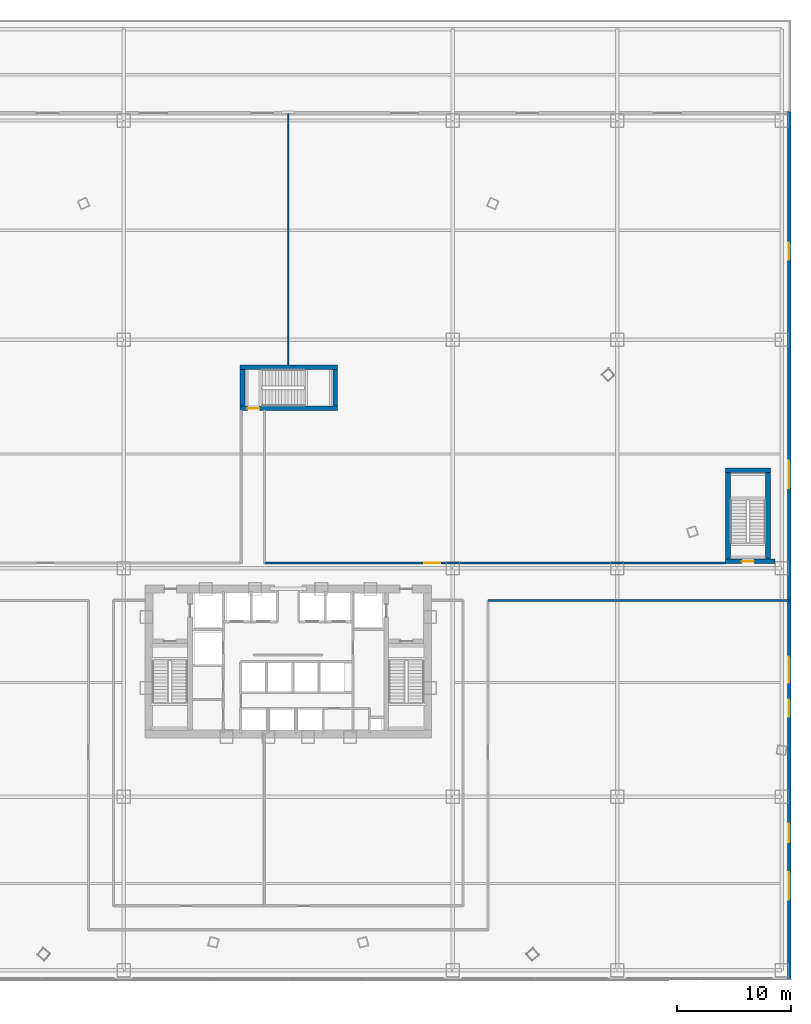
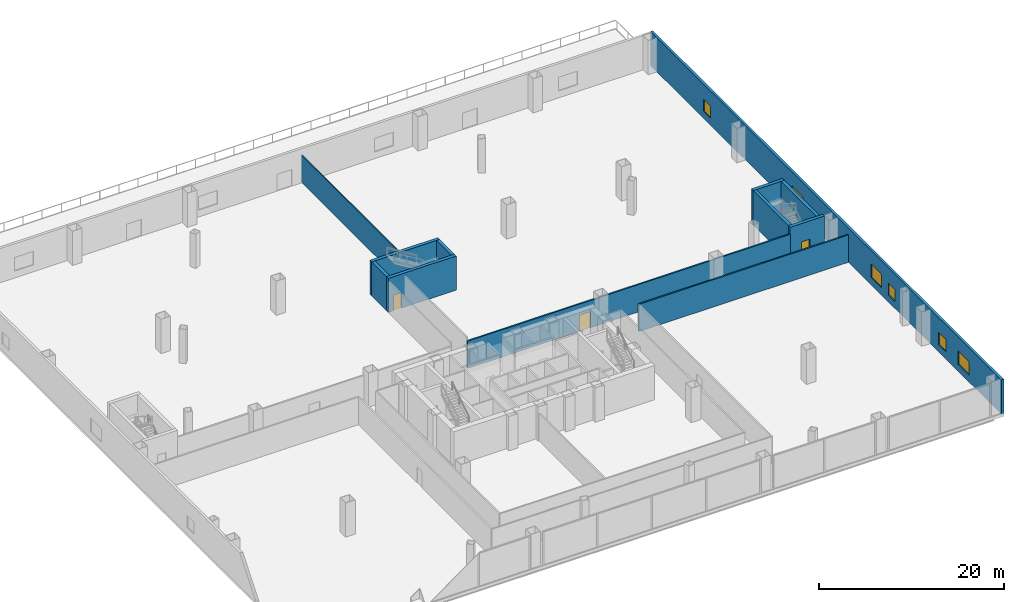
# One storey, part 21 of 27: 12 walls, 6 windows, 3 doors, 9 openings.
"""IFC4 building model written with IfcOpenShell, lengths in metres."""

from ifc_helpers import new_model, si_unit, direction, frame, frame_2d, origin, origin_with_axes, place, context, subcontext, project, spatial, rectangle, extrude, source, transform, mapped, material, layer, layer_set, type_object, element, fill, save


model = new_model("IFC4")

# Units and contexts
model_context = context("Model", 3, precision=1e-05, world=origin(), true_north=direction((0.0, 1.0)))
body_context = subcontext(model_context, "Body", "Model", "MODEL_VIEW")
ifc_project = project(units=[si_unit("LENGTHUNIT", "METRE"), si_unit("AREAUNIT", "SQUARE_METRE"), si_unit("VOLUMEUNIT", "CUBIC_METRE"), si_unit("PLANEANGLEUNIT", "RADIAN"), si_unit("MASSUNIT", "GRAM", prefix="KILO"), si_unit("THERMODYNAMICTEMPERATUREUNIT", "KELVIN"), si_unit("POWERUNIT", "WATT")], contexts=[model_context])

# Site, building, storey
site_placement = place(None, origin())
site = spatial("IfcSite", under=ifc_project, at=site_placement, CompositionType="ELEMENT")
building_placement = place(site_placement, origin())
building = spatial("IfcBuilding", under=site, at=building_placement, Name="Yunzhuo Pagoda Commons", CompositionType="ELEMENT")
storey_placement = place(building_placement, frame((0.0, 0.0, 9.60009765625)))
storey = spatial("IfcBuildingStorey", under=building, at=storey_placement, Name="L03", CompositionType="ELEMENT", Elevation=9.60009765625)

# Wall, openings, windows
ifc_material_1 = material(Name="Precast concrete C40", Category="concrete")
ifc_layer_1 = layer(ifc_material_1, 0.300048828125)
ifc_layer_set_1 = layer_set([ifc_layer_1], Name="Precast concrete C40")
wall_type_1 = type_object("IfcWallType", Name="W-EXT1 Podium Precast Spandrel Wall 300", PredefinedType="STANDARD", material=ifc_layer_set_1)
wall_1_placement = place(storey_placement, frame((91.85009765625, 6.0, 0.0), z_axis=(0.0, 0.0, 1.0), x_axis=(0.0, 1.0, 0.0)))
wall_1 = element("IfcWall", 1, at=wall_1_placement, inside=storey, type_object=wall_type_1, Name="L03 E precast spandrel wall", PredefinedType="STANDARD", context=body_context, shape_type="SweptSolid", body=[
    extrude(rectangle(XDim=76.0, YDim=0.300048828125, at=frame_2d((38.0, 0.0))), origin(), (0.0, 0.0, 1.0), 4.52001953125),
])
opening_1_placement = place(wall_1_placement, frame((7.0, 0.0, 0.89990234375)))
opening_1 = element("IfcOpeningElement", 2, at=opening_1_placement, cuts=wall_1, Name="Opening W-01", PredefinedType="OPENING", context=body_context, shape_type="SweptSolid", body=[
    extrude(rectangle(XDim=2.39990234375, YDim=1.800048828125, at=frame_2d((1.199951171875, 0.89990234375))), frame((0.0, 0.16015625, 0.0), z_axis=(0.0, -1.0, 0.0), x_axis=(1.0, 0.0, 0.0)), (0.0, 0.0, 1.0), 0.320068359375),
])
opening_2_placement = place(wall_1_placement, frame((23.0, 0.0, 0.89990234375)))
opening_2 = element("IfcOpeningElement", 3, at=opening_2_placement, cuts=wall_1, Name="Opening W-02", PredefinedType="OPENING", context=body_context, shape_type="SweptSolid", body=[
    extrude(rectangle(XDim=1.5, YDim=1.60009765625, at=frame_2d((0.75, 0.800048828125))), frame((0.0, 0.16015625, 0.0), z_axis=(0.0, -1.0, 0.0), x_axis=(1.0, 0.0, 0.0)), (0.0, 0.0, 1.0), 0.320068359375),
])
opening_3_placement = place(wall_1_placement, frame((43.0, 0.0, 0.89990234375)))
opening_3 = element("IfcOpeningElement", 4, at=opening_3_placement, cuts=wall_1, Name="Opening W-01", PredefinedType="OPENING", context=body_context, shape_type="SweptSolid", body=[
    extrude(rectangle(XDim=2.39990234375, YDim=1.800048828125, at=frame_2d((1.199951171875, 0.89990234375))), frame((0.0, 0.16015625, 0.0), z_axis=(0.0, -1.0, 0.0), x_axis=(1.0, 0.0, 0.0)), (0.0, 0.0, 1.0), 0.320068359375),
])
opening_4_placement = place(wall_1_placement, frame((63.0, 0.0, 0.89990234375)))
opening_4 = element("IfcOpeningElement", 5, at=opening_4_placement, cuts=wall_1, Name="Opening W-02", PredefinedType="OPENING", context=body_context, shape_type="SweptSolid", body=[
    extrude(rectangle(XDim=1.5, YDim=1.60009765625, at=frame_2d((0.75, 0.800048828125))), frame((0.0, 0.16015625, 0.0), z_axis=(0.0, -1.0, 0.0), x_axis=(1.0, 0.0, 0.0)), (0.0, 0.0, 1.0), 0.320068359375),
])
opening_5_placement = place(wall_1_placement, frame((12.0, 0.0, 0.949951171875)))
opening_5 = element("IfcOpeningElement", 6, at=opening_5_placement, cuts=wall_1, Name="Opening W-05", PredefinedType="OPENING", context=body_context, shape_type="SweptSolid", body=[
    extrude(rectangle(XDim=1.64990234375, YDim=1.64990234375, at=frame_2d((0.824951171875, 0.824951171875))), frame((0.0, 0.16015625, 0.0), z_axis=(0.0, -1.0, 0.0), x_axis=(1.0, 0.0, 0.0)), (0.0, 0.0, 1.0), 0.320068359375),
])
opening_6_placement = place(wall_1_placement, frame((26.0, 0.0, 0.949951171875)))
opening_6 = element("IfcOpeningElement", 7, at=opening_6_placement, cuts=wall_1, Name="Opening W-06", PredefinedType="OPENING", context=body_context, shape_type="SweptSolid", body=[
    extrude(rectangle(XDim=2.25, YDim=1.800048828125, at=frame_2d((1.125, 0.89990234375))), frame((0.0, 0.16015625, 0.0), z_axis=(0.0, -1.0, 0.0), x_axis=(1.0, 0.0, 0.0)), (0.0, 0.0, 1.0), 0.320068359375),
])
ifc_material_2 = material(Name="Tempered low-e double glazing", Category="glass")
window_type_1 = type_object("IfcWindowType", Name="W-01 Podium Fixed Ribbon Window 2400x1800", PartitioningType="DOUBLE_PANEL_VERTICAL", PredefinedType="WINDOW", material=ifc_material_2)
shared_shape_1 = source(origin(), body_context, "Body", "SweptSolid", [
    extrude(rectangle(XDim=2.39990234375, YDim=1.800048828125, at=frame_2d((1.199951171875, 0.89990234375))), frame((0.0, 0.030029296875, 0.0), z_axis=(0.0, -1.0, 0.0), x_axis=(1.0, 0.0, 0.0)), (0.0, 0.0, 1.0), 0.06005859375),
])
window_1_placement = place(opening_1_placement, origin_with_axes())
window_1 = element("IfcWindow", 8, at=window_1_placement, inside=storey, type_object=window_type_1, Name="L03 E window 1", OverallHeight=1.800048828125, OverallWidth=2.39990234375, PartitioningType="SINGLE_PANEL", PredefinedType="WINDOW", context=body_context, shape_type="MappedRepresentation", body=[
    mapped(shared_shape_1, transform((0.0, 0.0, 0.0), scale=1.0)),
])
fill(opening_1, window_1)
window_2_placement = place(opening_3_placement, origin_with_axes())
window_2 = element("IfcWindow", 9, at=window_2_placement, inside=storey, type_object=window_type_1, Name="L03 E window 3", OverallHeight=1.800048828125, OverallWidth=2.39990234375, PartitioningType="SINGLE_PANEL", PredefinedType="WINDOW", context=body_context, shape_type="MappedRepresentation", body=[
    mapped(shared_shape_1, transform((0.0, 0.0, 0.0), scale=1.0)),
])
fill(opening_3, window_2)
window_type_2 = type_object("IfcWindowType", Name="W-02 Podium Casement Window 1500x1600", PartitioningType="SINGLE_PANEL", PredefinedType="WINDOW", material=ifc_material_2)
shared_shape_2 = source(origin(), body_context, "Body", "SweptSolid", [
    extrude(rectangle(XDim=1.5, YDim=1.60009765625, at=frame_2d((0.75, 0.800048828125))), frame((0.0, 0.030029296875, 0.0), z_axis=(0.0, -1.0, 0.0), x_axis=(1.0, 0.0, 0.0)), (0.0, 0.0, 1.0), 0.06005859375),
])
window_3_placement = place(opening_2_placement, origin_with_axes())
window_3 = element("IfcWindow", 10, at=window_3_placement, inside=storey, type_object=window_type_2, Name="L03 E window 2", OverallHeight=1.60009765625, OverallWidth=1.5, PartitioningType="SINGLE_PANEL", PredefinedType="WINDOW", context=body_context, shape_type="MappedRepresentation", body=[
    mapped(shared_shape_2, transform((0.0, 0.0, 0.0), scale=1.0)),
])
fill(opening_2, window_3)
window_4_placement = place(opening_4_placement, origin_with_axes())
window_4 = element("IfcWindow", 11, at=window_4_placement, inside=storey, type_object=window_type_2, Name="L03 E window 4", OverallHeight=1.60009765625, OverallWidth=1.5, PartitioningType="SINGLE_PANEL", PredefinedType="WINDOW", context=body_context, shape_type="MappedRepresentation", body=[
    mapped(shared_shape_2, transform((0.0, 0.0, 0.0), scale=1.0)),
])
fill(opening_4, window_4)
window_type_3 = type_object("IfcWindowType", Name="W-05 Podium Acoustic Window 1650x1650", PartitioningType="SINGLE_PANEL", PredefinedType="WINDOW", material=ifc_material_2)
shared_shape_3 = source(origin(), body_context, "Body", "SweptSolid", [
    extrude(rectangle(XDim=1.64990234375, YDim=1.64990234375, at=frame_2d((0.824951171875, 0.824951171875))), frame((0.0, 0.030029296875, 0.0), z_axis=(0.0, -1.0, 0.0), x_axis=(1.0, 0.0, 0.0)), (0.0, 0.0, 1.0), 0.06005859375),
])
window_5_placement = place(opening_5_placement, origin_with_axes())
window_5 = element("IfcWindow", 12, at=window_5_placement, inside=storey, type_object=window_type_3, Name="L03 east acoustic window 1", OverallHeight=1.64990234375, OverallWidth=1.64990234375, PartitioningType="SINGLE_PANEL", PredefinedType="WINDOW", context=body_context, shape_type="MappedRepresentation", body=[
    mapped(shared_shape_3, transform((0.0, 0.0, 0.0), scale=1.0)),
])
fill(opening_5, window_5)
window_type_4 = type_object("IfcWindowType", Name="W-06 Podium Acoustic Window 2250x1800", PartitioningType="SINGLE_PANEL", PredefinedType="WINDOW", material=ifc_material_2)
shared_shape_4 = source(origin(), body_context, "Body", "SweptSolid", [
    extrude(rectangle(XDim=2.25, YDim=1.800048828125, at=frame_2d((1.125, 0.89990234375))), frame((0.0, 0.030029296875, 0.0), z_axis=(0.0, -1.0, 0.0), x_axis=(1.0, 0.0, 0.0)), (0.0, 0.0, 1.0), 0.06005859375),
])
window_6_placement = place(opening_6_placement, origin_with_axes())
window_6 = element("IfcWindow", 13, at=window_6_placement, inside=storey, type_object=window_type_4, Name="L03 east acoustic window 2", OverallHeight=1.800048828125, OverallWidth=2.25, PartitioningType="SINGLE_PANEL", PredefinedType="WINDOW", context=body_context, shape_type="MappedRepresentation", body=[
    mapped(shared_shape_4, transform((0.0, 0.0, 0.0), scale=1.0)),
])
fill(opening_6, window_6)

# Wall
ifc_material_3 = material(Name="Gypsum plasterboard on acoustic stud")
ifc_layer_2 = layer(ifc_material_3, 0.1201171875)
ifc_layer_set_2 = layer_set([ifc_layer_2], Name="Gypsum plasterboard on acoustic stud")
wall_type_2 = type_object("IfcWallType", Name="W-PRT1 Suite & Bathroom Partition 120", PredefinedType="PARTITIONING", material=ifc_layer_set_2)
wall_2_placement = place(storey_placement, frame((48.0, 59.800048828125, 0.0), z_axis=(0.0, 0.0, 1.0), x_axis=(0.0, 1.0, 0.0)))
element("IfcWall", 14, at=wall_2_placement, inside=storey, type_object=wall_type_2, Name="L03 interior wall IW-L03-SPNN", PredefinedType="PARTITIONING", context=body_context, shape_type="SweptSolid", body=[
    extrude(rectangle(XDim=22.099853515625, YDim=0.1201171875, at=frame_2d((11.0498046875, 0.0))), origin(), (0.0, 0.0, 1.0), 3.619873046875),
])

# Wall, opening, door
ifc_layer_3 = layer(ifc_material_3, 0.179931640625)
ifc_layer_set_3 = layer_set([ifc_layer_3], Name="Gypsum plasterboard on acoustic stud")
wall_type_3 = type_object("IfcWallType", Name="W-PRT2 Acoustic Unit Demising Wall 180", PredefinedType="PARTITIONING", material=ifc_layer_set_3)
wall_3_placement = place(storey_placement, frame((45.919921875, 42.449951171875, 0.0), z_axis=(0.0, 0.0, 1.0), x_axis=(1.0, 0.0, 0.0)))
wall_3 = element("IfcWall", 15, at=wall_3_placement, inside=storey, type_object=wall_type_3, Name="L03 interior wall IW-L03-PNWE", PredefinedType="PARTITIONING", context=body_context, shape_type="SweptSolid", body=[
    extrude(rectangle(XDim=40.380126953125, YDim=0.179931640625, at=frame_2d((20.18994140625, 0.0))), origin(), (0.0, 0.0, 1.0), 3.619873046875),
])
opening_7_placement = place(wall_3_placement, frame((14.0, 0.0, 0.0)))
opening_7 = element("IfcOpeningElement", 16, at=opening_7_placement, cuts=wall_3, Name="Opening D-10", PredefinedType="OPENING", context=body_context, shape_type="SweptSolid", body=[
    extrude(rectangle(XDim=1.39990234375, YDim=2.14990234375, at=frame_2d((0.699951171875, 1.074951171875))), frame((0.0, 0.10009765625, 0.0), z_axis=(0.0, -1.0, 0.0), x_axis=(1.0, 0.0, 0.0)), (0.0, 0.0, 1.0), 0.199951171875),
])
ifc_material_4 = material(Name="Galvanized fire-resisting metal leaf")
door_type_1 = type_object("IfcDoorType", Name="D-10 Podium Dining & Library Double Leaf Door 1400x2150", OperationType="NOTDEFINED", PredefinedType="DOOR", material=ifc_material_4)
shared_shape_5 = source(origin(), body_context, "Body", "SweptSolid", [
    extrude(rectangle(XDim=1.39990234375, YDim=2.14990234375, at=frame_2d((0.699951171875, 1.074951171875))), frame((0.0, 0.02490234375, 0.0), z_axis=(0.0, -1.0, 0.0), x_axis=(1.0, 0.0, 0.0)), (0.0, 0.0, 1.0), 0.050048828125),
])
door_1_placement = place(opening_7_placement, origin_with_axes())
door_1 = element("IfcDoor", 17, at=door_1_placement, inside=storey, type_object=door_type_1, Name="L03 Academic Library Reading Room door E", OperationType="SINGLE_SWING_LEFT", OverallHeight=2.14990234375, OverallWidth=1.39990234375, PredefinedType="DOOR", context=body_context, shape_type="MappedRepresentation", body=[
    mapped(shared_shape_5, transform((0.0, 0.0, 0.0), scale=1.0)),
])
fill(opening_7, door_1)

# Walls
wall_4_placement = place(storey_placement, frame((65.5, 39.199951171875, 0.0), z_axis=(0.0, 0.0, 1.0), x_axis=(1.0, 0.0, 0.0)))
element("IfcWall", 18, at=wall_4_placement, inside=storey, type_object=wall_type_3, Name="L03 interior wall IW-L03-PEASTN", PredefinedType="PARTITIONING", context=body_context, shape_type="SweptSolid", body=[
    extrude(rectangle(XDim=26.35009765625, YDim=0.179931640625, at=frame_2d((13.175048828125, 0.0))), origin(), (0.0, 0.0, 1.0), 3.619873046875),
])
ifc_material_5 = material(Name="Concrete C60", Category="concrete")
ifc_layer_4 = layer(ifc_material_5, 0.39990234375)
ifc_layer_set_4 = layer_set([ifc_layer_4], Name="Concrete C60")
wall_type_4 = type_object("IfcWallType", Name="W-S01 Internal Core Shear Web 400", PredefinedType="SHEAR", material=ifc_layer_set_4)
wall_5_placement = place(storey_placement, frame((86.300048828125, 50.60009765625, 0.0), z_axis=(0.0, 0.0, 1.0), x_axis=(1.0, 0.0, 0.0)))
element("IfcWall", 19, at=wall_5_placement, inside=storey, type_object=wall_type_4, Name="L03 PS4 structural stair wall N", PredefinedType="SHEAR", context=body_context, shape_type="SweptSolid", body=[
    extrude(rectangle(XDim=3.89990234375, YDim=0.39990234375, at=frame_2d((1.949951171875, 0.0))), origin(), (0.0, 0.0, 1.0), 4.52001953125),
])

# Wall, opening, door
wall_6_placement = place(storey_placement, frame((86.300048828125, 42.60009765625, 0.0), z_axis=(0.0, 0.0, 1.0), x_axis=(1.0, 0.0, 0.0)))
wall_6 = element("IfcWall", 20, at=wall_6_placement, inside=storey, type_object=wall_type_4, Name="L03 PS4 structural stair wall S", PredefinedType="SHEAR", context=body_context, shape_type="SweptSolid", body=[
    extrude(rectangle(XDim=4.300048828125, YDim=0.39990234375, at=frame_2d((2.14990234375, 0.0))), origin(), (0.0, 0.0, 1.0), 4.52001953125),
])
opening_8_placement = place(wall_6_placement, frame((1.419921875, 0.0, 0.0)))
opening_8 = element("IfcOpeningElement", 21, at=opening_8_placement, cuts=wall_6, Name="Opening D-01", PredefinedType="OPENING", context=body_context, shape_type="SweptSolid", body=[
    extrude(rectangle(XDim=1.050048828125, YDim=2.10009765625, at=frame_2d((0.52490234375, 1.050048828125))), frame((0.0, 0.2099609375, 0.0), z_axis=(0.0, -1.0, 0.0), x_axis=(1.0, 0.0, 0.0)), (0.0, 0.0, 1.0), 0.419921875),
])
door_type_2 = type_object("IfcDoorType", Name="D-01 Smokeproof Stair Fire Door 1050x2100", OperationType="NOTDEFINED", PredefinedType="DOOR", material=ifc_material_4)
shared_shape_6 = source(origin(), body_context, "Body", "SweptSolid", [
    extrude(rectangle(XDim=1.050048828125, YDim=2.10009765625, at=frame_2d((0.52490234375, 1.050048828125))), frame((0.0, 0.02490234375, 0.0), z_axis=(0.0, -1.0, 0.0), x_axis=(1.0, 0.0, 0.0)), (0.0, 0.0, 1.0), 0.050048828125),
])
door_2_placement = place(opening_8_placement, frame((1.050048828125, 0.0, 0.0), z_axis=(0.0, 0.0, 1.0), x_axis=(-1.0, 0.0, 0.0)))
door_2 = element("IfcDoor", 22, at=door_2_placement, inside=storey, type_object=door_type_2, Name="L03 PS4 stair fire door", OperationType="SINGLE_SWING_RIGHT", OverallHeight=2.10009765625, OverallWidth=1.050048828125, PredefinedType="DOOR", context=body_context, shape_type="MappedRepresentation", body=[
    mapped(shared_shape_6, transform((0.0, 0.0, 0.0), scale=1.0)),
])
fill(opening_8, door_2)

# Walls
for number, where, z_axis, x_axis, name in (
    (23, (86.5, 42.800048828125, 0.0), (0.0, 0.0, 1.0), (0.0, 1.0, 0.0), "L03 PS4 structural stair wall W"),
    (24, (90.0, 42.800048828125, 0.0), (0.0, 0.0, 1.0), (0.0, 1.0, 0.0), "L03 PS4 structural stair wall E"),
):
    element("IfcWall", number, at=place(storey_placement, frame(where, z_axis=z_axis, x_axis=x_axis)), inside=storey, type_object=wall_type_4, Name=name, PredefinedType="SHEAR", context=body_context, shape_type="SweptSolid", body=[
        extrude(rectangle(XDim=7.599853515625, YDim=0.39990234375, at=frame_2d((3.7998046875, 0.0))), origin(), (0.0, 0.0, 1.0), 4.52001953125),
    ])
wall_7_placement = place(storey_placement, frame((43.800048828125, 59.60009765625, 0.0), z_axis=(0.0, 0.0, 1.0), x_axis=(1.0, 0.0, 0.0)))
element("IfcWall", 25, at=wall_7_placement, inside=storey, type_object=wall_type_4, Name="L03 ST3 structural stair wall N", PredefinedType="SHEAR", context=body_context, shape_type="SweptSolid", body=[
    extrude(rectangle(XDim=8.5, YDim=0.39990234375, at=frame_2d((4.25, 0.0))), origin(), (0.0, 0.0, 1.0), 4.52001953125),
])

# Wall, opening, door
wall_8_placement = place(storey_placement, frame((43.800048828125, 56.0, 0.0), z_axis=(0.0, 0.0, 1.0), x_axis=(1.0, 0.0, 0.0)))
wall_8 = element("IfcWall", 26, at=wall_8_placement, inside=storey, type_object=wall_type_4, Name="L03 ST3 structural stair wall S", PredefinedType="SHEAR", context=body_context, shape_type="SweptSolid", body=[
    extrude(rectangle(XDim=8.5, YDim=0.39990234375, at=frame_2d((4.25, 0.0))), origin(), (0.0, 0.0, 1.0), 4.52001953125),
])
opening_9_placement = place(wall_8_placement, frame((0.6201171875, 0.0, 0.0)))
opening_9 = element("IfcOpeningElement", 27, at=opening_9_placement, cuts=wall_8, Name="Opening D-01", PredefinedType="OPENING", context=body_context, shape_type="SweptSolid", body=[
    extrude(rectangle(XDim=1.050048828125, YDim=2.10009765625, at=frame_2d((0.52490234375, 1.050048828125))), frame((0.0, 0.2099609375, 0.0), z_axis=(0.0, -1.0, 0.0), x_axis=(1.0, 0.0, 0.0)), (0.0, 0.0, 1.0), 0.419921875),
])
door_3_placement = place(opening_9_placement, frame((1.050048828125, 0.0, 0.0), z_axis=(0.0, 0.0, 1.0), x_axis=(-1.0, 0.0, 0.0)))
door_3 = element("IfcDoor", 28, at=door_3_placement, inside=storey, type_object=door_type_2, Name="L03 Stair ST3 fire door", OperationType="SINGLE_SWING_LEFT", OverallHeight=2.10009765625, OverallWidth=1.050048828125, PredefinedType="DOOR", context=body_context, shape_type="MappedRepresentation", body=[
    mapped(shared_shape_6, transform((0.0, 0.0, 0.0), scale=1.0)),
])
fill(opening_9, door_3)

# Walls
for number, where, z_axis, x_axis, name in (
    (29, (44.0, 56.199951171875, 0.0), (0.0, 0.0, 1.0), (0.0, 1.0, 0.0), "L03 ST3 structural stair wall W"),
    (30, (52.10009765625, 56.199951171875, 0.0), (0.0, 0.0, 1.0), (0.0, 1.0, 0.0), "L03 ST3 structural stair wall E"),
):
    element("IfcWall", number, at=place(storey_placement, frame(where, z_axis=z_axis, x_axis=x_axis)), inside=storey, type_object=wall_type_4, Name=name, PredefinedType="SHEAR", context=body_context, shape_type="SweptSolid", body=[
        extrude(rectangle(XDim=3.199951171875, YDim=0.39990234375, at=frame_2d((1.60009765625, 0.0))), origin(), (0.0, 0.0, 1.0), 4.52001953125),
    ])

save(model, "model.ifc")
